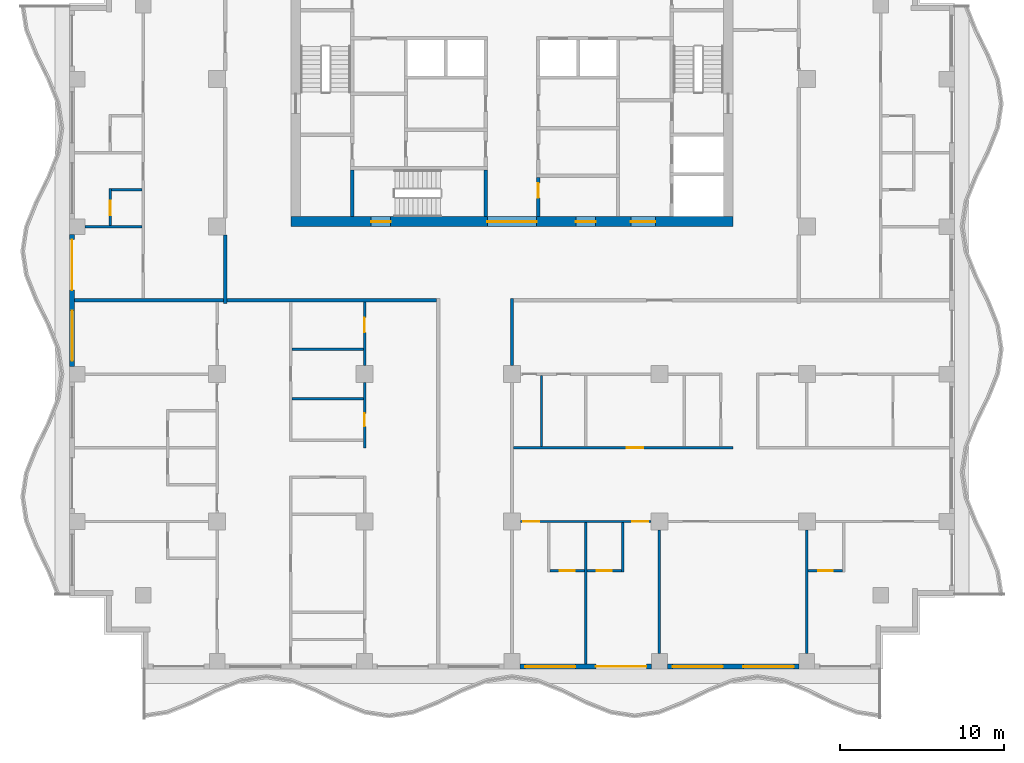
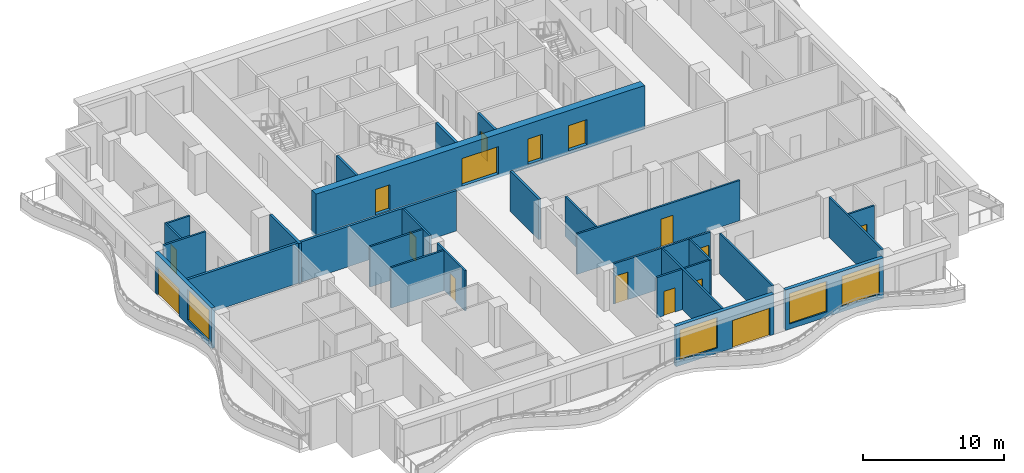
# One storey, part 3 of 11: 28 walls, 16 doors, 4 windows, 20 openings.
"""IFC4 building model written with IfcOpenShell, lengths in metres."""

from ifc_helpers import new_model, si_unit, direction, frame, frame_2d, origin, place, context, subcontext, project, spatial, rectangle, extrude, material, layer, layer_set, type_object, element, fill, save


model = new_model("IFC4")

# Units and contexts
model_context = context("Model", 3, precision=1e-05, world=origin(), true_north=direction((0.0, 1.0)))
body_context = subcontext(model_context, "Body", "Model", "MODEL_VIEW")
ifc_project = project(units=[si_unit("LENGTHUNIT", "METRE"), si_unit("AREAUNIT", "SQUARE_METRE"), si_unit("VOLUMEUNIT", "CUBIC_METRE"), si_unit("PLANEANGLEUNIT", "RADIAN"), si_unit("MASSUNIT", "GRAM", prefix="KILO")], contexts=[model_context])

# Site, building, storey
site_placement = place(None, origin())
site = spatial("IfcSite", under=ifc_project, at=site_placement, CompositionType="ELEMENT")
building_placement = place(site_placement, origin())
building = spatial("IfcBuilding", under=site, at=building_placement, Name="Orbiselva Terraces", CompositionType="ELEMENT")
storey_placement = place(building_placement, frame((0.0, 0.0, 218.6)))
storey = spatial("IfcBuildingStorey", under=building, at=storey_placement, Name="L55", CompositionType="ELEMENT", Elevation=218.6)

# Wall, openings, doors
ifc_material_1 = material(Name="Concrete C80/95", Category="concrete")
ifc_layer_1 = layer(ifc_material_1, 0.6)
ifc_layer_set_1 = layer_set([ifc_layer_1], Name="Concrete C80/95")
wall_type_1 = type_object("IfcWallType", Name="CORE WALL 600", PredefinedType="SHEAR", material=ifc_layer_set_1)
wall_1_placement = place(storey_placement, frame((-13.5, 4.8, -0.3), z_axis=(0.0, 0.0, 1.0), x_axis=(1.0, 0.0, 0.0)))
wall_1 = element("IfcWall", 1, at=wall_1_placement, inside=storey, type_object=wall_type_1, Name="Core wall L55 south", PredefinedType="SHEAR", context=body_context, shape_type="SweptSolid", body=[
    extrude(rectangle(XDim=27.0, YDim=0.6, at=frame_2d((13.5, 0.0))), origin(), (0.0, 0.0, 1.0), 3.8),
])
opening_1_placement = place(wall_1_placement, frame((12.0, 0.0, 0.3)))
opening_1 = element("IfcOpeningElement", 2, at=opening_1_placement, cuts=wall_1, Name="Opening DL3000", PredefinedType="OPENING", context=body_context, shape_type="SweptSolid", body=[
    extrude(rectangle(XDim=3.0, YDim=2.4, at=frame_2d((1.5, 1.2))), frame((0.0, 0.31, 0.0), z_axis=(0.0, -1.0, 0.0), x_axis=(1.0, 0.0, 0.0)), (0.0, 0.0, 1.0), 0.62),
])
opening_2_placement = place(wall_1_placement, frame((4.9, 0.0, 0.3)))
opening_2 = element("IfcOpeningElement", 3, at=opening_2_placement, cuts=wall_1, Name="Opening DS1200", PredefinedType="OPENING", context=body_context, shape_type="SweptSolid", body=[
    extrude(rectangle(XDim=1.2, YDim=2.2, at=frame_2d((0.6, 1.1))), frame((0.0, 0.31, 0.0), z_axis=(0.0, -1.0, 0.0), x_axis=(1.0, 0.0, 0.0)), (0.0, 0.0, 1.0), 0.62),
])
opening_3_placement = place(wall_1_placement, frame((20.75, 0.0, 0.3)))
opening_3 = element("IfcOpeningElement", 4, at=opening_3_placement, cuts=wall_1, Name="Opening DF1500", PredefinedType="OPENING", context=body_context, shape_type="SweptSolid", body=[
    extrude(rectangle(XDim=1.5, YDim=2.2, at=frame_2d((0.75, 1.1))), frame((0.0, 0.31, 0.0), z_axis=(0.0, -1.0, 0.0), x_axis=(1.0, 0.0, 0.0)), (0.0, 0.0, 1.0), 0.62),
])
opening_4_placement = place(wall_1_placement, frame((17.4, 0.0, 0.3)))
opening_4 = element("IfcOpeningElement", 5, at=opening_4_placement, cuts=wall_1, Name="Opening DV1200", PredefinedType="OPENING", context=body_context, shape_type="SweptSolid", body=[
    extrude(rectangle(XDim=1.2, YDim=2.2, at=frame_2d((0.6, 1.1))), frame((0.0, 0.31, 0.0), z_axis=(0.0, -1.0, 0.0), x_axis=(1.0, 0.0, 0.0)), (0.0, 0.0, 1.0), 0.62),
])
ifc_material_2 = material(Name="Steel fire door", Category="steel")
door_type_1 = type_object("IfcDoorType", Name="FFL DOOR 1500", OperationType="DOUBLE_DOOR_SINGLE_SWING", PredefinedType="DOOR", material=ifc_material_2)
door_1_placement = place(opening_3_placement, frame((1.5, 0.0, 0.0), z_axis=(0.0, 0.0, 1.0), x_axis=(-1.0, 0.0, 0.0)))
door_1 = element("IfcDoor", 6, at=door_1_placement, inside=storey, type_object=door_type_1, Name="L55 FIRE-FIGHTING LOBBY door", OperationType="DOUBLE_DOOR_SINGLE_SWING", OverallHeight=2.2, OverallWidth=1.5, PredefinedType="DOOR", context=body_context, shape_type="SweptSolid", body=[
    extrude(rectangle(XDim=1.5, YDim=2.2, at=frame_2d((0.75, 1.1))), frame((0.0, 0.025, 0.0), z_axis=(0.0, -1.0, 0.0), x_axis=(1.0, 0.0, 0.0)), (0.0, 0.0, 1.0), 0.05),
])
fill(opening_3, door_1)
door_type_2 = type_object("IfcDoorType", Name="LOBBY DOOR 3000", OperationType="DOUBLE_DOOR_SINGLE_SWING", PredefinedType="DOOR", material=ifc_material_2)
door_2_placement = place(opening_1_placement, frame((3.0, 0.0, 0.0), z_axis=(0.0, 0.0, 1.0), x_axis=(-1.0, 0.0, 0.0)))
door_2 = element("IfcDoor", 7, at=door_2_placement, inside=storey, type_object=door_type_2, Name="L55 LIFT LOBBY door", OperationType="DOUBLE_DOOR_SINGLE_SWING", OverallHeight=2.4, OverallWidth=3.0, PredefinedType="DOOR", context=body_context, shape_type="SweptSolid", body=[
    extrude(rectangle(XDim=3.0, YDim=2.4, at=frame_2d((1.5, 1.2))), frame((0.0, 0.025, 0.0), z_axis=(0.0, -1.0, 0.0), x_axis=(1.0, 0.0, 0.0)), (0.0, 0.0, 1.0), 0.05),
])
fill(opening_1, door_2)
door_type_3 = type_object("IfcDoorType", Name="SERVICE DOOR 1200", OperationType="NOTDEFINED", PredefinedType="DOOR", material=ifc_material_2)
door_3_placement = place(opening_4_placement, frame((1.2, 0.0, 0.0), z_axis=(0.0, 0.0, 1.0), x_axis=(-1.0, 0.0, 0.0)))
door_3 = element("IfcDoor", 8, at=door_3_placement, inside=storey, type_object=door_type_3, Name="L55 ELECTRICAL RISER ROOM door", OperationType="SINGLE_SWING_RIGHT", OverallHeight=2.2, OverallWidth=1.2, PredefinedType="DOOR", context=body_context, shape_type="SweptSolid", body=[
    extrude(rectangle(XDim=1.2, YDim=2.2, at=frame_2d((0.6, 1.1))), frame((0.0, 0.025, 0.0), z_axis=(0.0, -1.0, 0.0), x_axis=(1.0, 0.0, 0.0)), (0.0, 0.0, 1.0), 0.05),
])
fill(opening_4, door_3)
door_type_4 = type_object("IfcDoorType", Name="STAIR DOOR 1200", OperationType="NOTDEFINED", PredefinedType="DOOR", material=ifc_material_2)
door_4_placement = place(opening_2_placement, frame((1.2, 0.0, 0.0), z_axis=(0.0, 0.0, 1.0), x_axis=(-1.0, 0.0, 0.0)))
door_4 = element("IfcDoor", 9, at=door_4_placement, inside=storey, type_object=door_type_4, Name="L55 EXIT STAIR S3 door", OperationType="SINGLE_SWING_LEFT", OverallHeight=2.2, OverallWidth=1.2, PredefinedType="DOOR", context=body_context, shape_type="SweptSolid", body=[
    extrude(rectangle(XDim=1.2, YDim=2.2, at=frame_2d((0.6, 1.1))), frame((0.0, 0.025, 0.0), z_axis=(0.0, -1.0, 0.0), x_axis=(1.0, 0.0, 0.0)), (0.0, 0.0, 1.0), 0.05),
])
fill(opening_2, door_4)

# Wall, opening, door
ifc_material_3 = material(Name="Masonry blockwork", Category="masonry")
ifc_layer_2 = layer(ifc_material_3, 0.2)
ifc_layer_set_2 = layer_set([ifc_layer_2], Name="Masonry blockwork")
wall_type_2 = type_object("IfcWallType", Name="CORE-WALL-PARTITION-200", PredefinedType="PARTITIONING", material=ifc_layer_set_2)
wall_2_placement = place(storey_placement, frame((1.6, 7.5, 0.0), z_axis=(0.0, 0.0, 1.0), x_axis=(0.0, -1.0, 0.0)))
wall_2 = element("IfcWall", 10, at=wall_2_placement, inside=storey, type_object=wall_type_2, Name="L55 core wall 27", PredefinedType="PARTITIONING", context=body_context, shape_type="SweptSolid", body=[
    extrude(rectangle(XDim=2.4, YDim=0.2, at=frame_2d((1.2, 0.0))), origin(), (0.0, 0.0, 1.0), 3.5),
])
opening_5_placement = place(wall_2_placement, frame((0.35, 0.0, 0.0)))
opening_5 = element("IfcOpeningElement", 11, at=opening_5_placement, cuts=wall_2, Name="Opening DR900", PredefinedType="OPENING", context=body_context, shape_type="SweptSolid", body=[
    extrude(rectangle(XDim=0.9, YDim=2.1, at=frame_2d((0.45, 1.05))), frame((0.0, 0.11, 0.0), z_axis=(0.0, -1.0, 0.0), x_axis=(1.0, 0.0, 0.0)), (0.0, 0.0, 1.0), 0.22),
])
door_type_5 = type_object("IfcDoorType", Name="ROOM DOOR 900", OperationType="NOTDEFINED", PredefinedType="DOOR", material=ifc_material_2)
door_5_placement = place(opening_5_placement, origin())
door_5 = element("IfcDoor", 12, at=door_5_placement, inside=storey, type_object=door_type_5, Name="L55 ELECTRICAL RISER ROOM door", OperationType="SINGLE_SWING_LEFT", OverallHeight=2.1, OverallWidth=0.9, PredefinedType="DOOR", context=body_context, shape_type="SweptSolid", body=[
    extrude(rectangle(XDim=0.9, YDim=2.1, at=frame_2d((0.45, 1.05))), frame((0.0, 0.025, 0.0), z_axis=(0.0, -1.0, 0.0), x_axis=(1.0, 0.0, 0.0)), (0.0, 0.0, 1.0), 0.05),
])
fill(opening_5, door_5)

# Walls
ifc_material_4 = material(Name="Concrete C60/75", Category="concrete")
ifc_layer_3 = layer(ifc_material_4, 0.2)
ifc_layer_set_3 = layer_set([ifc_layer_3], Name="Concrete C60/75")
wall_type_3 = type_object("IfcWallType", Name="CORE-WALL-SHEAR-200", PredefinedType="SHEAR", material=ifc_layer_set_3)
for number, where, z_axis, x_axis, name in (
    (13, (-9.75, 5.1, 0.0), (0.0, 0.0, 1.0), (0.0, 1.0, 0.0), "L55 core wall 03"),
    (14, (-1.6, 5.1, 0.0), (0.0, 0.0, 1.0), (0.0, 1.0, 0.0), "L55 core wall 22"),
):
    element("IfcWall", number, at=place(storey_placement, frame(where, z_axis=z_axis, x_axis=x_axis)), inside=storey, type_object=wall_type_3, Name=name, PredefinedType="SHEAR", context=body_context, shape_type="SweptSolid", body=[
        extrude(rectangle(XDim=2.85, YDim=0.2, at=frame_2d((1.425, 0.0))), origin(), (0.0, 0.0, 1.0), 3.5),
    ])

# Wall, openings, door, window
ifc_material_5 = material(Name="Terracotta cladding on masonry backing", Category="masonry")
ifc_layer_4 = layer(ifc_material_5, 0.3)
ifc_layer_set_4 = layer_set([ifc_layer_4], Name="Terracotta cladding on masonry backing")
wall_type_4 = type_object("IfcWallType", Name="ENV-WALL-TERRACOTTA-300", PredefinedType="SOLIDWALL", material=ifc_layer_set_4)
wall_3_placement = place(storey_placement, frame((8.525, -22.35, 0.0), z_axis=(0.0, 0.0, 1.0), x_axis=(-1.0, 0.0, 0.0)))
wall_3 = element("IfcWall", 15, at=wall_3_placement, inside=storey, type_object=wall_type_4, Name="Facade wall L55 S", PredefinedType="SOLIDWALL", context=body_context, shape_type="SweptSolid", body=[
    extrude(rectangle(XDim=8.05, YDim=0.3, at=frame_2d((4.025, 0.0))), origin(), (0.0, 0.0, 1.0), 3.5),
])
opening_6_placement = place(wall_3_placement, frame((4.65, 0.0, 0.45)))
opening_6 = element("IfcOpeningElement", 16, at=opening_6_placement, cuts=wall_3, Name="Opening WN15", PredefinedType="OPENING", context=body_context, shape_type="SweptSolid", body=[
    extrude(rectangle(XDim=3.075, YDim=2.65, at=frame_2d((1.5375, 1.325))), frame((0.0, 0.16, 0.0), z_axis=(0.0, -1.0, 0.0), x_axis=(1.0, 0.0, 0.0)), (0.0, 0.0, 1.0), 0.32),
])
opening_7_placement = place(wall_3_placement, frame((0.325, 0.0, 0.0)))
opening_7 = element("IfcOpeningElement", 17, at=opening_7_placement, cuts=wall_3, Name="Opening Z4-D-E03", PredefinedType="OPENING", context=body_context, shape_type="SweptSolid", body=[
    extrude(rectangle(XDim=3.075, YDim=2.4, at=frame_2d((1.5375, 1.2))), frame((0.0, 0.16, 0.0), z_axis=(0.0, -1.0, 0.0), x_axis=(1.0, 0.0, 0.0)), (0.0, 0.0, 1.0), 0.32),
])
ifc_material_6 = material(Name="Clear low-e glazing in aluminium frame", Category="aluminium")
door_type_6 = type_object("IfcDoorType", Name="BALCONY DOOR 3075 X 2400", OperationType="DOUBLE_DOOR_SLIDING", PredefinedType="DOOR", material=ifc_material_6)
door_6_placement = place(opening_7_placement, origin())
door_6 = element("IfcDoor", 18, at=door_6_placement, inside=storey, type_object=door_type_6, Name="Z4-D-E03", OperationType="SINGLE_SWING_LEFT", OverallHeight=2.4, OverallWidth=3.075, PredefinedType="DOOR", context=body_context, shape_type="SweptSolid", body=[
    extrude(rectangle(XDim=3.075, YDim=2.4, at=frame_2d((1.5375, 1.2))), frame((0.0, 0.025, 0.0), z_axis=(0.0, -1.0, 0.0), x_axis=(1.0, 0.0, 0.0)), (0.0, 0.0, 1.0), 0.05),
])
fill(opening_7, door_6)
window_type = type_object("IfcWindowType", Name="WINDOW 3075 X 2650 S450", PartitioningType="TRIPLE_PANEL_VERTICAL", PredefinedType="WINDOW", material=ifc_material_6)
window_1_placement = place(opening_6_placement, origin())
window_1 = element("IfcWindow", 19, at=window_1_placement, inside=storey, type_object=window_type, Name="Window L55 S", OverallHeight=2.65, OverallWidth=3.075, PartitioningType="SINGLE_PANEL", PredefinedType="WINDOW", context=body_context, shape_type="SweptSolid", body=[
    extrude(rectangle(XDim=3.075, YDim=2.65, at=frame_2d((1.5375, 1.325))), frame((0.0, 0.03, 0.0), z_axis=(0.0, -1.0, 0.0), x_axis=(1.0, 0.0, 0.0)), (0.0, 0.0, 1.0), 0.06),
])
fill(opening_6, window_1)

# Wall, openings, windows
wall_4_placement = place(storey_placement, frame((17.525, -22.35, 0.0), z_axis=(0.0, 0.0, 1.0), x_axis=(-1.0, 0.0, 0.0)))
wall_4 = element("IfcWall", 20, at=wall_4_placement, inside=storey, type_object=wall_type_4, Name="Facade wall L55 S", PredefinedType="SOLIDWALL", context=body_context, shape_type="SweptSolid", body=[
    extrude(rectangle(XDim=8.05, YDim=0.3, at=frame_2d((4.025, 0.0))), origin(), (0.0, 0.0, 1.0), 3.5),
])
opening_8_placement = place(wall_4_placement, frame((4.65, 0.0, 0.45)))
opening_8 = element("IfcOpeningElement", 21, at=opening_8_placement, cuts=wall_4, Name="Opening WN15", PredefinedType="OPENING", context=body_context, shape_type="SweptSolid", body=[
    extrude(rectangle(XDim=3.075, YDim=2.65, at=frame_2d((1.5375, 1.325))), frame((0.0, 0.16, 0.0), z_axis=(0.0, -1.0, 0.0), x_axis=(1.0, 0.0, 0.0)), (0.0, 0.0, 1.0), 0.32),
])
opening_9_placement = place(wall_4_placement, frame((0.325, 0.0, 0.45)))
opening_9 = element("IfcOpeningElement", 22, at=opening_9_placement, cuts=wall_4, Name="Opening WN15", PredefinedType="OPENING", context=body_context, shape_type="SweptSolid", body=[
    extrude(rectangle(XDim=3.075, YDim=2.65, at=frame_2d((1.5375, 1.325))), frame((0.0, 0.16, 0.0), z_axis=(0.0, -1.0, 0.0), x_axis=(1.0, 0.0, 0.0)), (0.0, 0.0, 1.0), 0.32),
])
window_2_placement = place(opening_8_placement, origin())
window_2 = element("IfcWindow", 23, at=window_2_placement, inside=storey, type_object=window_type, Name="Window L55 S", OverallHeight=2.65, OverallWidth=3.075, PartitioningType="SINGLE_PANEL", PredefinedType="WINDOW", context=body_context, shape_type="SweptSolid", body=[
    extrude(rectangle(XDim=3.075, YDim=2.65, at=frame_2d((1.5375, 1.325))), frame((0.0, 0.03, 0.0), z_axis=(0.0, -1.0, 0.0), x_axis=(1.0, 0.0, 0.0)), (0.0, 0.0, 1.0), 0.06),
])
fill(opening_8, window_2)
window_3_placement = place(opening_9_placement, origin())
window_3 = element("IfcWindow", 24, at=window_3_placement, inside=storey, type_object=window_type, Name="Window L55 S", OverallHeight=2.65, OverallWidth=3.075, PartitioningType="SINGLE_PANEL", PredefinedType="WINDOW", context=body_context, shape_type="SweptSolid", body=[
    extrude(rectangle(XDim=3.075, YDim=2.65, at=frame_2d((1.5375, 1.325))), frame((0.0, 0.03, 0.0), z_axis=(0.0, -1.0, 0.0), x_axis=(1.0, 0.0, 0.0)), (0.0, 0.0, 1.0), 0.06),
])
fill(opening_9, window_3)

# Wall, openings, door, window
wall_5_placement = place(storey_placement, frame((-26.85, -4.025, 0.0), z_axis=(0.0, 0.0, 1.0), x_axis=(0.0, 1.0, 0.0)))
wall_5 = element("IfcWall", 25, at=wall_5_placement, inside=storey, type_object=wall_type_4, Name="Facade wall L55 W", PredefinedType="SOLIDWALL", context=body_context, shape_type="SweptSolid", body=[
    extrude(rectangle(XDim=8.05, YDim=0.3, at=frame_2d((4.025, 0.0))), origin(), (0.0, 0.0, 1.0), 3.5),
])
opening_10_placement = place(wall_5_placement, frame((4.65, 0.0, 0.0)))
opening_10 = element("IfcOpeningElement", 26, at=opening_10_placement, cuts=wall_5, Name="Opening Z4-D-E11", PredefinedType="OPENING", context=body_context, shape_type="SweptSolid", body=[
    extrude(rectangle(XDim=3.075, YDim=2.4, at=frame_2d((1.5375, 1.2))), frame((0.0, 0.16, 0.0), z_axis=(0.0, -1.0, 0.0), x_axis=(1.0, 0.0, 0.0)), (0.0, 0.0, 1.0), 0.32),
])
opening_11_placement = place(wall_5_placement, frame((0.325, 0.0, 0.45)))
opening_11 = element("IfcOpeningElement", 27, at=opening_11_placement, cuts=wall_5, Name="Opening WN15", PredefinedType="OPENING", context=body_context, shape_type="SweptSolid", body=[
    extrude(rectangle(XDim=3.075, YDim=2.65, at=frame_2d((1.5375, 1.325))), frame((0.0, 0.16, 0.0), z_axis=(0.0, -1.0, 0.0), x_axis=(1.0, 0.0, 0.0)), (0.0, 0.0, 1.0), 0.32),
])
door_7_placement = place(opening_10_placement, origin())
door_7 = element("IfcDoor", 28, at=door_7_placement, inside=storey, type_object=door_type_6, Name="Z4-D-E11", OperationType="SINGLE_SWING_LEFT", OverallHeight=2.4, OverallWidth=3.075, PredefinedType="DOOR", context=body_context, shape_type="SweptSolid", body=[
    extrude(rectangle(XDim=3.075, YDim=2.4, at=frame_2d((1.5375, 1.2))), frame((0.0, 0.025, 0.0), z_axis=(0.0, -1.0, 0.0), x_axis=(1.0, 0.0, 0.0)), (0.0, 0.0, 1.0), 0.05),
])
fill(opening_10, door_7)
window_4_placement = place(opening_11_placement, origin())
window_4 = element("IfcWindow", 29, at=window_4_placement, inside=storey, type_object=window_type, Name="Window L55 W", OverallHeight=2.65, OverallWidth=3.075, PartitioningType="SINGLE_PANEL", PredefinedType="WINDOW", context=body_context, shape_type="SweptSolid", body=[
    extrude(rectangle(XDim=3.075, YDim=2.65, at=frame_2d((1.5375, 1.325))), frame((0.0, 0.03, 0.0), z_axis=(0.0, -1.0, 0.0), x_axis=(1.0, 0.0, 0.0)), (0.0, 0.0, 1.0), 0.06),
])
fill(opening_11, window_4)

# Walls
ifc_material_7 = material(Name="Plasterboard on steel stud partition", Category="steel")
ifc_layer_5 = layer(ifc_material_7, 0.2)
ifc_layer_set_5 = layer_set([ifc_layer_5], Name="Plasterboard on steel stud partition")
wall_type_5 = type_object("IfcWallType", Name="UNIT-ENTRANCE-WALL-200", PredefinedType="PARTITIONING", material=ifc_layer_set_5)
wall_6_placement = place(storey_placement, frame((-17.4, 0.0, 0.0), z_axis=(0.0, 0.0, 1.0), x_axis=(1.0, 0.0, 0.0)))
element("IfcWall", 30, at=wall_6_placement, inside=storey, type_object=wall_type_5, Name="PARTITION L55-027", PredefinedType="PARTITIONING", context=body_context, shape_type="SweptSolid", body=[
    extrude(rectangle(XDim=12.8, YDim=0.2, at=frame_2d((6.4, 0.0))), origin(), (0.0, 0.0, 1.0), 3.5),
])
wall_7_placement = place(storey_placement, frame((-17.5, -0.2, 0.0), z_axis=(0.0, 0.0, 1.0), x_axis=(0.0, 1.0, 0.0)))
element("IfcWall", 31, at=wall_7_placement, inside=storey, type_object=wall_type_5, Name="PARTITION L55-050", PredefinedType="PARTITIONING", context=body_context, shape_type="SweptSolid", body=[
    extrude(rectangle(XDim=4.175, YDim=0.2, at=frame_2d((2.0875, 0.0))), origin(), (0.0, 0.0, 1.0), 3.5),
])
wall_8_placement = place(storey_placement, frame((0.0, -3.975, 0.0), z_axis=(0.0, 0.0, 1.0), x_axis=(0.0, 1.0, 0.0)))
element("IfcWall", 32, at=wall_8_placement, inside=storey, type_object=wall_type_5, Name="PARTITION L55-062", PredefinedType="PARTITIONING", context=body_context, shape_type="SweptSolid", body=[
    extrude(rectangle(XDim=4.075, YDim=0.2, at=frame_2d((2.0375, 0.0))), origin(), (0.0, 0.0, 1.0), 3.5),
])

# Wall, opening, door
ifc_layer_6 = layer(ifc_material_7, 0.15)
ifc_layer_set_6 = layer_set([ifc_layer_6], Name="Plasterboard on steel stud partition")
wall_type_6 = type_object("IfcWallType", Name="UNIT-PARTITION-150", PredefinedType="PARTITIONING", material=ifc_layer_set_6)
wall_9_placement = place(storey_placement, frame((2.325, -16.5, 0.0), z_axis=(0.0, 0.0, 1.0), x_axis=(1.0, 0.0, 0.0)))
wall_9 = element("IfcWall", 33, at=wall_9_placement, inside=storey, type_object=wall_type_6, Name="PARTITION L55-003", PredefinedType="PARTITIONING", context=body_context, shape_type="SweptSolid", body=[
    extrude(rectangle(XDim=2.1, YDim=0.15, at=frame_2d((1.05, 0.0))), origin(), (0.0, 0.0, 1.0), 3.5),
])
opening_12_placement = place(wall_9_placement, frame((0.6, 0.0, 0.0)))
opening_12 = element("IfcOpeningElement", 34, at=opening_12_placement, cuts=wall_9, Name="Opening Z4-D-38", PredefinedType="OPENING", context=body_context, shape_type="SweptSolid", body=[
    extrude(rectangle(XDim=0.9, YDim=2.1, at=frame_2d((0.45, 1.05))), frame((0.0, 0.085, 0.0), z_axis=(0.0, -1.0, 0.0), x_axis=(1.0, 0.0, 0.0)), (0.0, 0.0, 1.0), 0.17),
])
ifc_material_8 = material(Name="Painted timber door leaf", Category="wood")
door_type_7 = type_object("IfcDoorType", Name="BATH DOOR 900", OperationType="NOTDEFINED", PredefinedType="DOOR", material=ifc_material_8)
door_8_placement = place(opening_12_placement, origin())
door_8 = element("IfcDoor", 35, at=door_8_placement, inside=storey, type_object=door_type_7, Name="Z4-D-38", OperationType="SINGLE_SWING_RIGHT", OverallHeight=2.1, OverallWidth=0.9, PredefinedType="DOOR", context=body_context, shape_type="SweptSolid", body=[
    extrude(rectangle(XDim=0.9, YDim=2.1, at=frame_2d((0.45, 1.05))), frame((0.0, 0.025, 0.0), z_axis=(0.0, -1.0, 0.0), x_axis=(1.0, 0.0, 0.0)), (0.0, 0.0, 1.0), 0.05),
])
fill(opening_12, door_8)

wall_10_placement = place(storey_placement, frame((4.575, -16.5, 0.0), z_axis=(0.0, 0.0, 1.0), x_axis=(1.0, 0.0, 0.0)))
wall_10 = element("IfcWall", 36, at=wall_10_placement, inside=storey, type_object=wall_type_6, Name="PARTITION L55-004", PredefinedType="PARTITIONING", context=body_context, shape_type="SweptSolid", body=[
    extrude(rectangle(XDim=2.1, YDim=0.15, at=frame_2d((1.05, 0.0))), origin(), (0.0, 0.0, 1.0), 3.5),
])
opening_13_placement = place(wall_10_placement, frame((0.6, 0.0, 0.0)))
opening_13 = element("IfcOpeningElement", 37, at=opening_13_placement, cuts=wall_10, Name="Opening Z4-D-40", PredefinedType="OPENING", context=body_context, shape_type="SweptSolid", body=[
    extrude(rectangle(XDim=0.9, YDim=2.1, at=frame_2d((0.45, 1.05))), frame((0.0, 0.085, 0.0), z_axis=(0.0, -1.0, 0.0), x_axis=(1.0, 0.0, 0.0)), (0.0, 0.0, 1.0), 0.17),
])
door_9_placement = place(opening_13_placement, origin())
door_9 = element("IfcDoor", 38, at=door_9_placement, inside=storey, type_object=door_type_7, Name="Z4-D-40", OperationType="SINGLE_SWING_LEFT", OverallHeight=2.1, OverallWidth=0.9, PredefinedType="DOOR", context=body_context, shape_type="SweptSolid", body=[
    extrude(rectangle(XDim=0.9, YDim=2.1, at=frame_2d((0.45, 1.05))), frame((0.0, 0.025, 0.0), z_axis=(0.0, -1.0, 0.0), x_axis=(1.0, 0.0, 0.0)), (0.0, 0.0, 1.0), 0.05),
])
fill(opening_13, door_9)

wall_11_placement = place(storey_placement, frame((18.075, -16.5, 0.0), z_axis=(0.0, 0.0, 1.0), x_axis=(1.0, 0.0, 0.0)))
wall_11 = element("IfcWall", 39, at=wall_11_placement, inside=storey, type_object=wall_type_6, Name="PARTITION L55-005", PredefinedType="PARTITIONING", context=body_context, shape_type="SweptSolid", body=[
    extrude(rectangle(XDim=2.1, YDim=0.15, at=frame_2d((1.05, 0.0))), origin(), (0.0, 0.0, 1.0), 3.5),
])
opening_14_placement = place(wall_11_placement, frame((0.6, 0.0, 0.0)))
opening_14 = element("IfcOpeningElement", 40, at=opening_14_placement, cuts=wall_11, Name="Opening Z4-D-43", PredefinedType="OPENING", context=body_context, shape_type="SweptSolid", body=[
    extrude(rectangle(XDim=0.9, YDim=2.1, at=frame_2d((0.45, 1.05))), frame((0.0, 0.085, 0.0), z_axis=(0.0, -1.0, 0.0), x_axis=(1.0, 0.0, 0.0)), (0.0, 0.0, 1.0), 0.17),
])
door_10_placement = place(opening_14_placement, origin())
door_10 = element("IfcDoor", 41, at=door_10_placement, inside=storey, type_object=door_type_7, Name="Z4-D-43", OperationType="SINGLE_SWING_LEFT", OverallHeight=2.1, OverallWidth=0.9, PredefinedType="DOOR", context=body_context, shape_type="SweptSolid", body=[
    extrude(rectangle(XDim=0.9, YDim=2.1, at=frame_2d((0.45, 1.05))), frame((0.0, 0.025, 0.0), z_axis=(0.0, -1.0, 0.0), x_axis=(1.0, 0.0, 0.0)), (0.0, 0.0, 1.0), 0.05),
])
fill(opening_14, door_10)

# Wall, openings, doors
wall_12_placement = place(storey_placement, frame((8.475, -13.5, 0.0), z_axis=(0.0, 0.0, 1.0), x_axis=(-1.0, 0.0, 0.0)))
wall_12 = element("IfcWall", 42, at=wall_12_placement, inside=storey, type_object=wall_type_6, Name="PARTITION L55-008", PredefinedType="PARTITIONING", context=body_context, shape_type="SweptSolid", body=[
    extrude(rectangle(XDim=7.95, YDim=0.15, at=frame_2d((3.975, 0.0))), origin(), (0.0, 0.0, 1.0), 3.5),
])
opening_15_placement = place(wall_12_placement, frame((6.8, 0.0, 0.0)))
opening_15 = element("IfcOpeningElement", 43, at=opening_15_placement, cuts=wall_12, Name="Opening Z4-D-37", PredefinedType="OPENING", context=body_context, shape_type="SweptSolid", body=[
    extrude(rectangle(XDim=1.0, YDim=2.4, at=frame_2d((0.5, 1.2))), frame((0.0, 0.085, 0.0), z_axis=(0.0, -1.0, 0.0), x_axis=(1.0, 0.0, 0.0)), (0.0, 0.0, 1.0), 0.17),
])
opening_16_placement = place(wall_12_placement, frame((0.15, 0.0, 0.0)))
opening_16 = element("IfcOpeningElement", 44, at=opening_16_placement, cuts=wall_12, Name="Opening Z4-D-39", PredefinedType="OPENING", context=body_context, shape_type="SweptSolid", body=[
    extrude(rectangle(XDim=1.0, YDim=2.4, at=frame_2d((0.5, 1.2))), frame((0.0, 0.085, 0.0), z_axis=(0.0, -1.0, 0.0), x_axis=(1.0, 0.0, 0.0)), (0.0, 0.0, 1.0), 0.17),
])
door_type_8 = type_object("IfcDoorType", Name="ROOM DOOR 1000", OperationType="NOTDEFINED", PredefinedType="DOOR", material=ifc_material_8)
door_11_placement = place(opening_15_placement, origin())
door_11 = element("IfcDoor", 45, at=door_11_placement, inside=storey, type_object=door_type_8, Name="Z4-D-37", OperationType="SINGLE_SWING_RIGHT", OverallHeight=2.4, OverallWidth=1.0, PredefinedType="DOOR", context=body_context, shape_type="SweptSolid", body=[
    extrude(rectangle(XDim=1.0, YDim=2.4, at=frame_2d((0.5, 1.2))), frame((0.0, 0.025, 0.0), z_axis=(0.0, -1.0, 0.0), x_axis=(1.0, 0.0, 0.0)), (0.0, 0.0, 1.0), 0.05),
])
fill(opening_15, door_11)
door_12_placement = place(opening_16_placement, origin())
door_12 = element("IfcDoor", 46, at=door_12_placement, inside=storey, type_object=door_type_8, Name="Z4-D-39", OperationType="SINGLE_SWING_LEFT", OverallHeight=2.4, OverallWidth=1.0, PredefinedType="DOOR", context=body_context, shape_type="SweptSolid", body=[
    extrude(rectangle(XDim=1.0, YDim=2.4, at=frame_2d((0.5, 1.2))), frame((0.0, 0.025, 0.0), z_axis=(0.0, -1.0, 0.0), x_axis=(1.0, 0.0, 0.0)), (0.0, 0.0, 1.0), 0.05),
])
fill(opening_16, door_12)

# Wall, opening, door
wall_13_placement = place(storey_placement, frame((0.1, -9.0, 0.0), z_axis=(0.0, 0.0, 1.0), x_axis=(1.0, 0.0, 0.0)))
wall_13 = element("IfcWall", 47, at=wall_13_placement, inside=storey, type_object=wall_type_6, Name="PARTITION L55-016", PredefinedType="PARTITIONING", context=body_context, shape_type="SweptSolid", body=[
    extrude(rectangle(XDim=13.4, YDim=0.15, at=frame_2d((6.7, 0.0))), origin(), (0.0, 0.0, 1.0), 3.5),
])
opening_17_placement = place(wall_13_placement, frame((6.9, 0.0, 0.0)))
opening_17 = element("IfcOpeningElement", 48, at=opening_17_placement, cuts=wall_13, Name="Opening Z4-D-32", PredefinedType="OPENING", context=body_context, shape_type="SweptSolid", body=[
    extrude(rectangle(XDim=1.0, YDim=2.4, at=frame_2d((0.5, 1.2))), frame((0.0, 0.085, 0.0), z_axis=(0.0, -1.0, 0.0), x_axis=(1.0, 0.0, 0.0)), (0.0, 0.0, 1.0), 0.17),
])
door_13_placement = place(opening_17_placement, origin())
door_13 = element("IfcDoor", 49, at=door_13_placement, inside=storey, type_object=door_type_8, Name="Z4-D-32", OperationType="SINGLE_SWING_RIGHT", OverallHeight=2.4, OverallWidth=1.0, PredefinedType="DOOR", context=body_context, shape_type="SweptSolid", body=[
    extrude(rectangle(XDim=1.0, YDim=2.4, at=frame_2d((0.5, 1.2))), frame((0.0, 0.025, 0.0), z_axis=(0.0, -1.0, 0.0), x_axis=(1.0, 0.0, 0.0)), (0.0, 0.0, 1.0), 0.05),
])
fill(opening_17, door_13)

# Walls
for number, where, z_axis, x_axis, name in (
    (50, (-13.425, -6.0, 0.0), (0.0, 0.0, 1.0), (1.0, 0.0, 0.0), "PARTITION L55-020"),
    (51, (-13.425, -3.0, 0.0), (0.0, 0.0, 1.0), (1.0, 0.0, 0.0), "PARTITION L55-026"),
):
    element("IfcWall", number, at=place(storey_placement, frame(where, z_axis=z_axis, x_axis=x_axis)), inside=storey, type_object=wall_type_6, Name=name, PredefinedType="PARTITIONING", context=body_context, shape_type="SweptSolid", body=[
        extrude(rectangle(XDim=4.35, YDim=0.15, at=frame_2d((2.175, 0.0))), origin(), (0.0, 0.0, 1.0), 3.5),
    ])
wall_14_placement = place(storey_placement, frame((-26.05, 4.5, 0.0), z_axis=(0.0, 0.0, 1.0), x_axis=(1.0, 0.0, 0.0)))
element("IfcWall", 52, at=wall_14_placement, inside=storey, type_object=wall_type_6, Name="PARTITION L55-031", PredefinedType="PARTITIONING", context=body_context, shape_type="SweptSolid", body=[
    extrude(rectangle(XDim=3.475, YDim=0.15, at=frame_2d((1.7375, 0.0))), origin(), (0.0, 0.0, 1.0), 3.5),
])
wall_15_placement = place(storey_placement, frame((-24.45, 6.75, 0.0), z_axis=(0.0, 0.0, 1.0), x_axis=(1.0, 0.0, 0.0)))
element("IfcWall", 53, at=wall_15_placement, inside=storey, type_object=wall_type_6, Name="PARTITION L55-033", PredefinedType="PARTITIONING", context=body_context, shape_type="SweptSolid", body=[
    extrude(rectangle(XDim=1.875, YDim=0.15, at=frame_2d((0.9375, 0.0))), origin(), (0.0, 0.0, 1.0), 3.5),
])

# Wall, opening, door
wall_16_placement = place(storey_placement, frame((-24.525, 6.825, 0.0), z_axis=(0.0, 0.0, 1.0), x_axis=(0.0, -1.0, 0.0)))
wall_16 = element("IfcWall", 54, at=wall_16_placement, inside=storey, type_object=wall_type_6, Name="PARTITION L55-041", PredefinedType="PARTITIONING", context=body_context, shape_type="SweptSolid", body=[
    extrude(rectangle(XDim=2.25, YDim=0.15, at=frame_2d((1.125, 0.0))), origin(), (0.0, 0.0, 1.0), 3.5),
])
opening_18_placement = place(wall_16_placement, frame((0.75, 0.0, 0.0)))
opening_18 = element("IfcOpeningElement", 55, at=opening_18_placement, cuts=wall_16, Name="Opening Z4-D-05", PredefinedType="OPENING", context=body_context, shape_type="SweptSolid", body=[
    extrude(rectangle(XDim=0.9, YDim=2.1, at=frame_2d((0.45, 1.05))), frame((0.0, 0.085, 0.0), z_axis=(0.0, -1.0, 0.0), x_axis=(1.0, 0.0, 0.0)), (0.0, 0.0, 1.0), 0.17),
])
door_14_placement = place(opening_18_placement, origin())
door_14 = element("IfcDoor", 56, at=door_14_placement, inside=storey, type_object=door_type_7, Name="Z4-D-05", OperationType="SINGLE_SWING_RIGHT", OverallHeight=2.1, OverallWidth=0.9, PredefinedType="DOOR", context=body_context, shape_type="SweptSolid", body=[
    extrude(rectangle(XDim=0.9, YDim=2.1, at=frame_2d((0.45, 1.05))), frame((0.0, 0.025, 0.0), z_axis=(0.0, -1.0, 0.0), x_axis=(1.0, 0.0, 0.0)), (0.0, 0.0, 1.0), 0.05),
])
fill(opening_18, door_14)

wall_17_placement = place(storey_placement, frame((-9.0, -9.0, 0.0), z_axis=(0.0, 0.0, 1.0), x_axis=(0.0, 1.0, 0.0)))
wall_17 = element("IfcWall", 57, at=wall_17_placement, inside=storey, type_object=wall_type_6, Name="PARTITION L55-057", PredefinedType="PARTITIONING", context=body_context, shape_type="SweptSolid", body=[
    extrude(rectangle(XDim=3.975, YDim=0.15, at=frame_2d((1.9875, 0.0))), origin(), (0.0, 0.0, 1.0), 3.5),
])
opening_19_placement = place(wall_17_placement, frame((1.3, 0.0, 0.0)))
opening_19 = element("IfcOpeningElement", 58, at=opening_19_placement, cuts=wall_17, Name="Opening Z4-D-19", PredefinedType="OPENING", context=body_context, shape_type="SweptSolid", body=[
    extrude(rectangle(XDim=0.8, YDim=2.0, at=frame_2d((0.4, 1.0))), frame((0.0, 0.085, 0.0), z_axis=(0.0, -1.0, 0.0), x_axis=(1.0, 0.0, 0.0)), (0.0, 0.0, 1.0), 0.17),
])
door_type_9 = type_object("IfcDoorType", Name="STORE DOOR 800", OperationType="NOTDEFINED", PredefinedType="DOOR", material=ifc_material_8)
door_15_placement = place(opening_19_placement, origin())
door_15 = element("IfcDoor", 59, at=door_15_placement, inside=storey, type_object=door_type_9, Name="Z4-D-19", OperationType="SINGLE_SWING_LEFT", OverallHeight=2.0, OverallWidth=0.8, PredefinedType="DOOR", context=body_context, shape_type="SweptSolid", body=[
    extrude(rectangle(XDim=0.8, YDim=2.0, at=frame_2d((0.4, 1.0))), frame((0.0, 0.025, 0.0), z_axis=(0.0, -1.0, 0.0), x_axis=(1.0, 0.0, 0.0)), (0.0, 0.0, 1.0), 0.05),
])
fill(opening_19, door_15)

wall_18_placement = place(storey_placement, frame((-9.0, -3.975, 0.0), z_axis=(0.0, 0.0, 1.0), x_axis=(0.0, 1.0, 0.0)))
wall_18 = element("IfcWall", 60, at=wall_18_placement, inside=storey, type_object=wall_type_6, Name="PARTITION L55-058", PredefinedType="PARTITIONING", context=body_context, shape_type="SweptSolid", body=[
    extrude(rectangle(XDim=3.875, YDim=0.15, at=frame_2d((1.9375, 0.0))), origin(), (0.0, 0.0, 1.0), 3.5),
])
opening_20_placement = place(wall_18_placement, frame((2.025, 0.0, 0.0)))
opening_20 = element("IfcOpeningElement", 61, at=opening_20_placement, cuts=wall_18, Name="Opening Z4-D-21", PredefinedType="OPENING", context=body_context, shape_type="SweptSolid", body=[
    extrude(rectangle(XDim=0.9, YDim=2.1, at=frame_2d((0.45, 1.05))), frame((0.0, 0.085, 0.0), z_axis=(0.0, -1.0, 0.0), x_axis=(1.0, 0.0, 0.0)), (0.0, 0.0, 1.0), 0.17),
])
door_type_10 = type_object("IfcDoorType", Name="SERVICE DOOR 900", OperationType="NOTDEFINED", PredefinedType="DOOR", material=ifc_material_8)
door_16_placement = place(opening_20_placement, origin())
door_16 = element("IfcDoor", 62, at=door_16_placement, inside=storey, type_object=door_type_10, Name="Z4-D-21", OperationType="SINGLE_SWING_RIGHT", OverallHeight=2.1, OverallWidth=0.9, PredefinedType="DOOR", context=body_context, shape_type="SweptSolid", body=[
    extrude(rectangle(XDim=0.9, YDim=2.1, at=frame_2d((0.45, 1.05))), frame((0.0, 0.025, 0.0), z_axis=(0.0, -1.0, 0.0), x_axis=(1.0, 0.0, 0.0)), (0.0, 0.0, 1.0), 0.05),
])
fill(opening_20, door_16)

# Walls
wall_19_placement = place(storey_placement, frame((1.8, -8.925, 0.0), z_axis=(0.0, 0.0, 1.0), x_axis=(0.0, 1.0, 0.0)))
element("IfcWall", 63, at=wall_19_placement, inside=storey, type_object=wall_type_6, Name="PARTITION L55-063", PredefinedType="PARTITIONING", context=body_context, shape_type="SweptSolid", body=[
    extrude(rectangle(XDim=4.35, YDim=0.15, at=frame_2d((2.175, 0.0))), origin(), (0.0, 0.0, 1.0), 3.5),
])
wall_20_placement = place(storey_placement, frame((4.5, -22.2, 0.0), z_axis=(0.0, 0.0, 1.0), x_axis=(0.0, 1.0, 0.0)))
element("IfcWall", 64, at=wall_20_placement, inside=storey, type_object=wall_type_6, Name="PARTITION L55-065", PredefinedType="PARTITIONING", context=body_context, shape_type="SweptSolid", body=[
    extrude(rectangle(XDim=8.625, YDim=0.15, at=frame_2d((4.3125, 0.0))), origin(), (0.0, 0.0, 1.0), 3.5),
])
wall_21_placement = place(storey_placement, frame((6.75, -16.575, 0.0), z_axis=(0.0, 0.0, 1.0), x_axis=(0.0, 1.0, 0.0)))
element("IfcWall", 65, at=wall_21_placement, inside=storey, type_object=wall_type_6, Name="PARTITION L55-067", PredefinedType="PARTITIONING", context=body_context, shape_type="SweptSolid", body=[
    extrude(rectangle(XDim=3.0, YDim=0.15, at=frame_2d((1.5, 0.0))), origin(), (0.0, 0.0, 1.0), 3.5),
])
for number, where, z_axis, x_axis, name in (
    (66, (9.0, -21.55, 0.0), (0.0, 0.0, 1.0), (0.0, 1.0, 0.0), "PARTITION L55-068"),
    (67, (18.0, -21.55, 0.0), (0.0, 0.0, 1.0), (0.0, 1.0, 0.0), "PARTITION L55-076"),
):
    element("IfcWall", number, at=place(storey_placement, frame(where, z_axis=z_axis, x_axis=x_axis)), inside=storey, type_object=wall_type_6, Name=name, PredefinedType="PARTITIONING", context=body_context, shape_type="SweptSolid", body=[
        extrude(rectangle(XDim=7.525, YDim=0.15, at=frame_2d((3.7625, 0.0))), origin(), (0.0, 0.0, 1.0), 3.5),
    ])
ifc_layer_7 = layer(ifc_material_7, 0.2)
ifc_layer_set_7 = layer_set([ifc_layer_7], Name="Plasterboard on steel stud partition")
wall_type_7 = type_object("IfcWallType", Name="UNIT-PARTY-WALL-200", PredefinedType="PARTITIONING", material=ifc_layer_set_7)
wall_22_placement = place(storey_placement, frame((-26.7, 0.0, 0.0), z_axis=(0.0, 0.0, 1.0), x_axis=(1.0, 0.0, 0.0)))
element("IfcWall", 68, at=wall_22_placement, inside=storey, type_object=wall_type_7, Name="PARTITION L55-029", PredefinedType="PARTITIONING", context=body_context, shape_type="SweptSolid", body=[
    extrude(rectangle(XDim=9.1, YDim=0.2, at=frame_2d((4.55, 0.0))), origin(), (0.0, 0.0, 1.0), 3.5),
])

save(model, "model.ifc")
